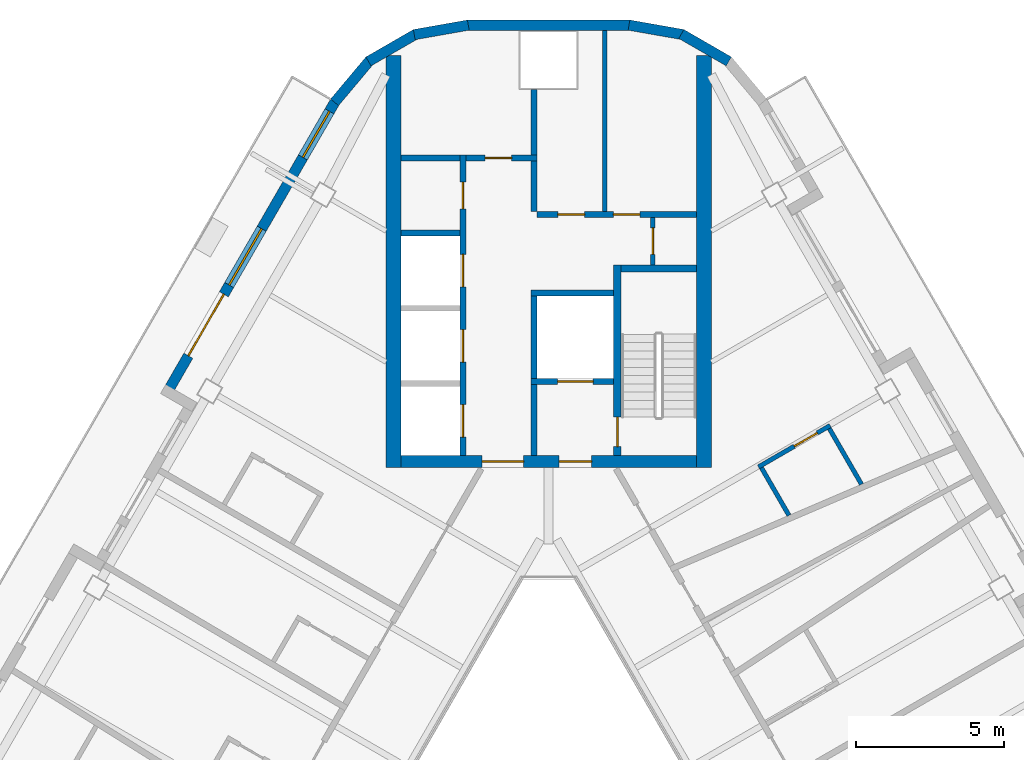
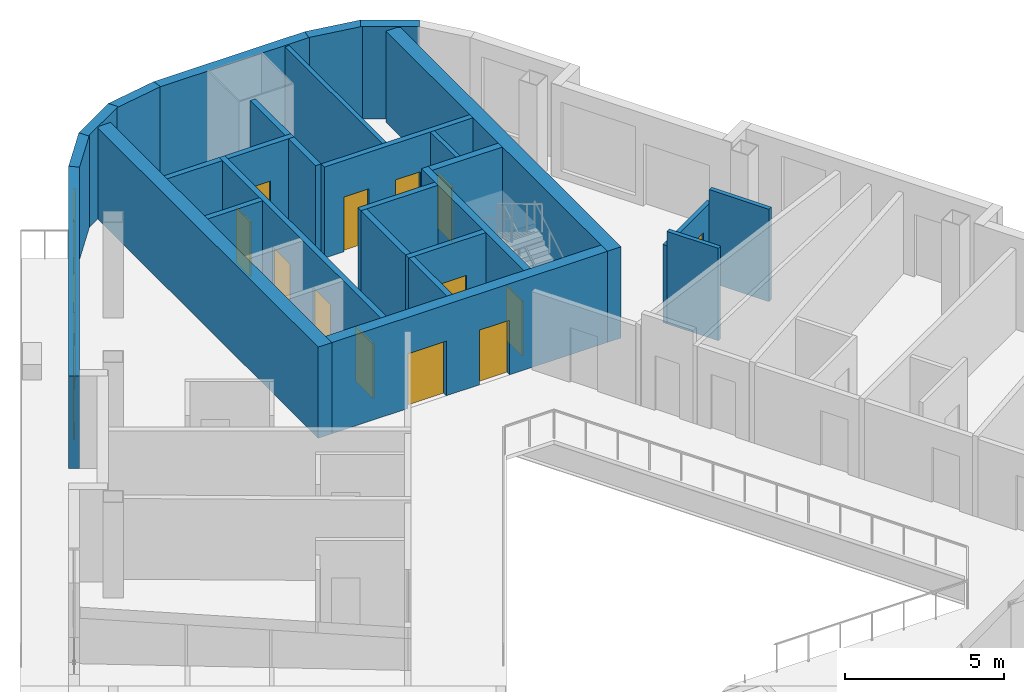
# One storey, part 7 of 14: 28 walls, 14 doors, 2 windows, 16 openings.
"""IFC4 building model written with IfcOpenShell, lengths in metres."""

import ifcopenshell
import ifcopenshell.guid

model = None  # the IFC model being written
_history = None  # IfcOwnerHistory: only IFC2X3 demands one
_inside = {}  # id of a spatial element -> (the spatial element, [elements in it])
_under = {}  # id of a project, library or spatial element -> (it, [spatial elements below it])
_declared = {}  # id of a project -> (the project, [libraries it declares])
_typed = {}  # id of a type object -> (the type object, [elements of that type])
_made_of = {}  # id of a material, layer set ... -> (it, [elements and type objects made of it])


def new_model(schema):
    """Start an empty IFC model of exactly this schema.

    Asked for "IFC4X3", IfcOpenShell would pick the latest addendum, in which some entities
    have other attributes; the version numbers below select the first issue.
    IFC2X3 requires an IfcOwnerHistory on every rooted entity: one is made here for all.
    """
    global model, _history
    if schema == "IFC4X3":
        model = ifcopenshell.file(schema_version=(4, 3, 0, 0))
    else:
        model = ifcopenshell.file(schema=schema)
    _inside.clear()
    _under.clear()
    _declared.clear()
    _typed.clear()
    _made_of.clear()
    _history = None
    if model.schema == "IFC2X3":
        org = make("IfcOrganization", Name="unknown")
        user = make(
            "IfcPersonAndOrganization",
            ThePerson=make("IfcPerson", FamilyName="unknown"),
            TheOrganization=org,
        )
        app = make(
            "IfcApplication",
            ApplicationDeveloper=org,
            Version="unknown",
            ApplicationFullName="unknown",
            ApplicationIdentifier="unknown",
        )
        _history = make(
            "IfcOwnerHistory",
            OwningUser=user,
            OwningApplication=app,
            ChangeAction="ADDED",
            CreationDate=0,
        )
    return model


def make(cls, **values):
    """One entity of the class cls with the attributes given. An attribute that is None is left unset."""
    return model.create_entity(
        cls, **{name: value for name, value in values.items() if value is not None}
    )


def rooted(cls, **values):
    """An entity with a GlobalId (a new one), such as an element, a storey or a relation."""
    return make(cls, GlobalId=ifcopenshell.guid.new(), OwnerHistory=_history, **values)


def si_unit(unit_type, name, prefix=None):
    """IfcSIUnit, for example si_unit("LENGTHUNIT", "METRE", prefix="MILLI")."""
    return make("IfcSIUnit", UnitType=unit_type, Prefix=prefix, Name=name)


def assignment(units):
    """IfcUnitAssignment: the units of a project."""
    return None if units is None else make("IfcUnitAssignment", Units=units)


def point(xyz):
    """IfcCartesianPoint."""
    return None if xyz is None else make("IfcCartesianPoint", Coordinates=xyz)


def direction(xyz):
    """IfcDirection."""
    return None if xyz is None else make("IfcDirection", DirectionRatios=xyz)


def frame(location, z_axis=None, x_axis=None):
    """IfcAxis2Placement3D, a coordinate frame: its origin and axes. An axis left out is left unset."""
    return make(
        "IfcAxis2Placement3D",
        Location=point(location),
        Axis=direction(z_axis),
        RefDirection=direction(x_axis),
    )


def frame_2d(location, x_axis=None):
    """IfcAxis2Placement2D, a coordinate frame in the plane: its origin and x axis."""
    return make(
        "IfcAxis2Placement2D", Location=point(location), RefDirection=direction(x_axis)
    )


def origin():
    """The frame at (0, 0, 0) with its axes left unset."""
    return frame((0.0, 0.0, 0.0))


def place(relative_to, where):
    """IfcLocalPlacement: puts the frame where relative to a parent placement (None: the world)."""
    return make(
        "IfcLocalPlacement", PlacementRelTo=relative_to, RelativePlacement=where
    )


def context(
    kind, dimensions, precision=None, world=None, true_north=None, identifier=None
):
    """IfcGeometricRepresentationContext, for example the 3D "Model" context."""
    return make(
        "IfcGeometricRepresentationContext",
        ContextIdentifier=identifier,
        ContextType=kind,
        CoordinateSpaceDimension=dimensions,
        Precision=precision,
        WorldCoordinateSystem=world,
        TrueNorth=true_north,
    )


def subcontext(parent, identifier, kind, view, scale=None):
    """IfcGeometricRepresentationSubContext, for example "Body" below "Model"."""
    return make(
        "IfcGeometricRepresentationSubContext",
        ContextIdentifier=identifier,
        ContextType=kind,
        ParentContext=parent,
        TargetScale=scale,
        TargetView=view,
    )


def project(units=None, contexts=None):
    """IfcProject with its units and contexts."""
    return rooted(
        "IfcProject",
        Name="project",
        RepresentationContexts=contexts,
        UnitsInContext=assignment(units),
    )


def spatial(cls, under=None, at=None, **own):
    """A site, building, storey or space (cls), placed at a placement, below another one or the project."""
    s = rooted(cls, ObjectPlacement=at, **own)
    if under is not None:
        _under.setdefault(under.id(), (under, []))[1].append(s)
    return s


def profile(cls, at=None, kind="AREA", **sizes):
    """A parametric profile (cls). Its sizes go by their IFC names, for example OverallWidth=200.0."""
    return make(cls, ProfileType=kind, Position=at, **sizes)


def rectangle(**sizes):
    """IfcRectangleProfileDef."""
    return profile("IfcRectangleProfileDef", **sizes)


def extrude(swept, where, along, depth):
    """IfcExtrudedAreaSolid: the profile swept, set in the frame where, extruded along a direction by depth."""
    return make(
        "IfcExtrudedAreaSolid",
        SweptArea=swept,
        Position=where,
        ExtrudedDirection=direction(along),
        Depth=depth,
    )


def shape(context_of_items, identifier, shape_type, items):
    """IfcShapeRepresentation: the items that make up one representation, for example the "Body"."""
    return make(
        "IfcShapeRepresentation",
        ContextOfItems=context_of_items,
        RepresentationIdentifier=identifier,
        RepresentationType=shape_type,
        Items=items,
    )


def material(Name=None, Category=None):
    """IfcMaterial."""
    return make("IfcMaterial", Name=Name, Category=Category)


def layer(
    of_material, thickness, ventilated=None, Name=None, Category=None, Priority=None
):
    """IfcMaterialLayer: one layer of a wall or slab, of a material (None: an air gap)."""
    return make(
        "IfcMaterialLayer",
        Material=of_material,
        LayerThickness=thickness,
        IsVentilated=ventilated,
        Name=Name,
        Category=Category,
        Priority=Priority,
    )


def layer_set(layers, Name=None):
    """IfcMaterialLayerSet."""
    return make("IfcMaterialLayerSet", MaterialLayers=layers, LayerSetName=Name)


def made_of(thing, what):
    """Note that an element or type object is made of a material, layer set ...; save() writes the relation."""
    if what is not None:
        _made_of.setdefault(what.id(), (what, []))[1].append(thing)
    return thing


def type_object(cls, material=None, **own):
    """A type object (cls), such as IfcWallType, which elements share."""
    return made_of(rooted(cls, **own), material)


def element(
    cls,
    number,
    at=None,
    inside=None,
    cuts=None,
    type_object=None,
    material=None,
    context=None,
    identifier="Body",
    shape_type=None,
    held_by="IfcProductDefinitionShape",
    body=None,
    shapes=None,
    **own,
):
    """One element of the class cls, such as IfcWall. Its Tag is "e" and its number.

    at: its placement. inside: the storey or other place that contains it. cuts: it is an
    opening in that element (IfcRelVoidsElement). A single representation is given by context,
    identifier, shape_type and body (its items); several are given by shapes. held_by: the class
    of the entity that holds the representations. save() writes the other relations.
    """
    e = rooted(cls, Tag="e%d" % number, ObjectPlacement=at, **own)
    if body is not None:
        shapes = [shape(context, identifier, shape_type, body)]
    if shapes is not None:
        e.Representation = make(held_by, Representations=shapes)
    if inside is not None:
        _inside.setdefault(inside.id(), (inside, []))[1].append(e)
    if cuts is not None:
        rooted(
            "IfcRelVoidsElement", RelatingBuildingElement=cuts, RelatedOpeningElement=e
        )
    if type_object is not None:
        _typed.setdefault(type_object.id(), (type_object, []))[1].append(e)
    return made_of(e, material)


def fill(opening, filler):
    """IfcRelFillsElement: the door or window that sits in an opening."""
    return rooted(
        "IfcRelFillsElement",
        RelatingOpeningElement=opening,
        RelatedBuildingElement=filler,
    )


def aggregate(whole, parts):
    """IfcRelAggregates: a whole, such as a stair, and the parts it consists of."""
    return rooted("IfcRelAggregates", RelatingObject=whole, RelatedObjects=parts)


def save(model, path):
    """Write the relations noted so far, then the file.

    IfcRelAggregates (storeys below a building ...), IfcRelContainedInSpatialStructure (elements
    in a storey), IfcRelDefinesByType, IfcRelAssociatesMaterial and IfcRelDeclares: one each for
    every whole, place, type object, material and project.
    """
    for whole, parts in _under.values():
        aggregate(whole, parts)
    for where, things in _inside.values():
        rooted(
            "IfcRelContainedInSpatialStructure",
            RelatedElements=things,
            RelatingStructure=where,
        )
    for kind, things in _typed.values():
        rooted("IfcRelDefinesByType", RelatedObjects=things, RelatingType=kind)
    for what, things in _made_of.values():
        rooted("IfcRelAssociatesMaterial", RelatedObjects=things, RelatingMaterial=what)
    for by, libraries in _declared.values():
        rooted("IfcRelDeclares", RelatingContext=by, RelatedDefinitions=libraries)
    model.write(path)


model = new_model("IFC4")

# Units and contexts
model_context = context("Model", 3, precision=1e-05, world=origin(), true_north=direction((0.0, 1.0)))
body_context = subcontext(model_context, "Body", "Model", "MODEL_VIEW")
ifc_project = project(units=[si_unit("LENGTHUNIT", "METRE"), si_unit("AREAUNIT", "SQUARE_METRE"), si_unit("VOLUMEUNIT", "CUBIC_METRE"), si_unit("PLANEANGLEUNIT", "RADIAN"), si_unit("MASSUNIT", "GRAM", prefix="KILO")], contexts=[model_context])

# Site, building, storey
site_placement = place(None, origin())
site = spatial("IfcSite", under=ifc_project, at=site_placement, CompositionType="ELEMENT")
building_placement = place(site_placement, origin())
building = spatial("IfcBuilding", under=site, at=building_placement, Name="Apuvela Tower Hotel", CompositionType="ELEMENT")
storey_placement = place(building_placement, frame((0.0, 0.0, 261.5)))
storey = spatial("IfcBuildingStorey", under=building, at=storey_placement, Name="L64", CompositionType="ELEMENT", Elevation=261.5)

# Wall, openings, doors
ifc_material_1 = material(Name="Concrete C50/60", Category="concrete")
ifc_layer_1 = layer(ifc_material_1, 0.39990234375)
ifc_layer_set_1 = layer_set([ifc_layer_1], Name="COR-WALL-CORE-400")
wall_type_1 = type_object("IfcWallType", Name="COR-WALL-CORE-400", PredefinedType="SHEAR", material=ifc_layer_set_1)
wall_1_placement = place(storey_placement, frame((5.0, 13.10009765625, 0.0), z_axis=(0.0, 0.0, 1.0), x_axis=(-1.0, 0.0, 0.0)))
wall_1 = element("IfcWall", 1, at=wall_1_placement, inside=storey, type_object=wall_type_1, Name="Core wall N", PredefinedType="SHEAR", context=body_context, shape_type="SweptSolid", body=[
    extrude(rectangle(XDim=10.0, YDim=0.39990234375, at=frame_2d((5.0, 0.0))), origin(), (0.0, 0.0, 1.0), 3.5),
])
opening_1_placement = place(wall_1_placement, frame((3.550048828125, 0.0, 0.0)))
opening_1 = element("IfcOpeningElement", 2, at=opening_1_placement, cuts=wall_1, Name="Opening N-FD", PredefinedType="OPENING", context=body_context, shape_type="SweptSolid", body=[
    extrude(rectangle(XDim=1.10009765625, YDim=2.10009765625, at=frame_2d((0.550048828125, 1.050048828125))), frame((0.0, 0.2099609375, 0.0), z_axis=(0.0, -1.0, 0.0), x_axis=(1.0, 0.0, 0.0)), (0.0, 0.0, 1.0), 0.419921875),
])
opening_2_placement = place(wall_1_placement, frame((5.85009765625, 0.0, 0.0)))
opening_2 = element("IfcOpeningElement", 3, at=opening_2_placement, cuts=wall_1, Name="Opening N-GD", PredefinedType="OPENING", context=body_context, shape_type="SweptSolid", body=[
    extrude(rectangle(XDim=1.39990234375, YDim=2.10009765625, at=frame_2d((0.699951171875, 1.050048828125))), frame((0.0, 0.2099609375, 0.0), z_axis=(0.0, -1.0, 0.0), x_axis=(1.0, 0.0, 0.0)), (0.0, 0.0, 1.0), 0.419921875),
])
ifc_material_2 = material(Name="Steel fire door, powder coated", Category="steel")
door_type_1 = type_object("IfcDoorType", Name="COR-FD-1100", OperationType="NOTDEFINED", PredefinedType="DOOR", material=ifc_material_2)
door_1_placement = place(opening_1_placement, frame((1.10009765625, 0.0, 0.0), z_axis=(0.0, 0.0, 1.0), x_axis=(-1.0, 0.0, 0.0)))
door_1 = element("IfcDoor", 4, at=door_1_placement, inside=storey, type_object=door_type_1, Name="Firefighting lobby door N-FD", OperationType="SINGLE_SWING_LEFT", OverallHeight=2.10009765625, OverallWidth=1.10009765625, PredefinedType="DOOR", context=body_context, shape_type="SweptSolid", body=[
    extrude(rectangle(XDim=1.10009765625, YDim=2.10009765625, at=frame_2d((0.550048828125, 1.050048828125))), frame((0.0, 0.02490234375, 0.0), z_axis=(0.0, -1.0, 0.0), x_axis=(1.0, 0.0, 0.0)), (0.0, 0.0, 1.0), 0.050048828125),
])
fill(opening_1, door_1)
ifc_material_3 = material(Name="Glazed steel fire door", Category="steel")
door_type_2 = type_object("IfcDoorType", Name="COR-GD-1400", OperationType="DOUBLE_DOOR_SINGLE_SWING", PredefinedType="DOOR", material=ifc_material_3)
door_2_placement = place(opening_2_placement, frame((1.39990234375, 0.0, 0.0), z_axis=(0.0, 0.0, 1.0), x_axis=(-1.0, 0.0, 0.0)))
door_2 = element("IfcDoor", 5, at=door_2_placement, inside=storey, type_object=door_type_2, Name="Lift lobby door N-GD", OperationType="DOUBLE_DOOR_SINGLE_SWING", OverallHeight=2.10009765625, OverallWidth=1.39990234375, PredefinedType="DOOR", context=body_context, shape_type="SweptSolid", body=[
    extrude(rectangle(XDim=1.39990234375, YDim=2.10009765625, at=frame_2d((0.699951171875, 1.050048828125))), frame((0.0, 0.02490234375, 0.0), z_axis=(0.0, -1.0, 0.0), x_axis=(1.0, 0.0, 0.0)), (0.0, 0.0, 1.0), 0.050048828125),
])
fill(opening_2, door_2)

# Walls
ifc_layer_2 = layer(ifc_material_1, 0.5)
ifc_layer_set_2 = layer_set([ifc_layer_2], Name="COR-WALL-CORE-500")
wall_type_2 = type_object("IfcWallType", Name="COR-WALL-CORE-500", PredefinedType="SHEAR", material=ifc_layer_set_2)
for number, where, z_axis, x_axis, name in (
    (6, (5.25, 12.89990234375, 0.0), (0.0, 0.0, 1.0), (0.0, 1.0, 0.0), "Core wall N"),
    (7, (-5.25, 12.89990234375, 0.0), (0.0, 0.0, 1.0), (0.0, 1.0, 0.0), "Core wall N"),
):
    element("IfcWall", number, at=place(storey_placement, frame(where, z_axis=z_axis, x_axis=x_axis)), inside=storey, type_object=wall_type_2, Name=name, PredefinedType="SHEAR", context=body_context, shape_type="SweptSolid", body=[
        extrude(rectangle(XDim=13.93408203125, YDim=0.5, at=frame_2d((6.967041015625, 0.0))), origin(), (0.0, 0.0, 1.0), 3.5),
    ])

# Wall, opening, door
ifc_material_4 = material(Name="Blockwork 150 mm plastered", Category="masonry")
ifc_layer_3 = layer(ifc_material_4, 0.14990234375)
ifc_layer_set_3 = layer_set([ifc_layer_3], Name="COR-WALL-PART-150")
wall_type_3 = type_object("IfcWallType", Name="COR-WALL-PART-150", PredefinedType="PARTITIONING", material=ifc_layer_set_3)
wall_2_placement = place(storey_placement, frame((3.52490234375, 19.75, 0.0), z_axis=(0.0, 0.0, 1.0), x_axis=(0.0, 1.0, 0.0)))
wall_2 = element("IfcWall", 8, at=wall_2_placement, inside=storey, type_object=wall_type_3, Name="Partition N", PredefinedType="PARTITIONING", context=body_context, shape_type="SweptSolid", body=[
    extrude(rectangle(XDim=1.60009765625, YDim=0.14990234375, at=frame_2d((0.800048828125, 0.0))), origin(), (0.0, 0.0, 1.0), 3.5),
])
opening_3_placement = place(wall_2_placement, frame((0.35009765625, 0.0, 0.0)))
opening_3 = element("IfcOpeningElement", 9, at=opening_3_placement, cuts=wall_2, Name="Opening N-RD", PredefinedType="OPENING", context=body_context, shape_type="SweptSolid", body=[
    extrude(rectangle(XDim=0.89990234375, YDim=2.10009765625, at=frame_2d((0.449951171875, 1.050048828125))), frame((0.0, 0.0849609375, 0.0), z_axis=(0.0, -1.0, 0.0), x_axis=(1.0, 0.0, 0.0)), (0.0, 0.0, 1.0), 0.169921875),
])
ifc_material_5 = material(Name="Steel access door, powder coated", Category="steel")
door_type_3 = type_object("IfcDoorType", Name="COR-RD-900", OperationType="NOTDEFINED", PredefinedType="DOOR", material=ifc_material_5)
door_3_placement = place(opening_3_placement, frame((0.89990234375, 0.0, 0.0), z_axis=(0.0, 0.0, 1.0), x_axis=(-1.0, 0.0, 0.0)))
door_3 = element("IfcDoor", 10, at=door_3_placement, inside=storey, type_object=door_type_3, Name="Riser door N-RD", OperationType="SINGLE_SWING_RIGHT", OverallHeight=2.10009765625, OverallWidth=0.89990234375, PredefinedType="DOOR", context=body_context, shape_type="SweptSolid", body=[
    extrude(rectangle(XDim=0.89990234375, YDim=2.10009765625, at=frame_2d((0.449951171875, 1.050048828125))), frame((0.0, 0.02490234375, 0.0), z_axis=(0.0, -1.0, 0.0), x_axis=(1.0, 0.0, 0.0)), (0.0, 0.0, 1.0), 0.050048828125),
])
fill(opening_3, door_3)

# Wall
wall_3_placement = place(storey_placement, frame((1.89990234375, 21.550048828125, 0.0), z_axis=(0.0, 0.0, 1.0), x_axis=(0.0, 1.0, 0.0)))
element("IfcWall", 11, at=wall_3_placement, inside=storey, type_object=wall_type_3, Name="Partition N", PredefinedType="PARTITIONING", context=body_context, shape_type="SweptSolid", body=[
    extrude(rectangle(XDim=6.126220703125, YDim=0.14990234375, at=frame_2d((3.06298828125, 0.0))), origin(), (0.0, 0.0, 1.0), 3.5),
])

# Wall, openings, doors
ifc_material_6 = material(Name="Blockwork 200 mm plastered", Category="masonry")
ifc_layer_4 = layer(ifc_material_6, 0.199951171875)
ifc_layer_set_4 = layer_set([ifc_layer_4], Name="COR-WALL-PART-200")
wall_type_4 = type_object("IfcWallType", Name="COR-WALL-PART-200", PredefinedType="PARTITIONING", material=ifc_layer_set_4)
wall_4_placement = place(storey_placement, frame((5.0, 21.449951171875, 0.0), z_axis=(0.0, 0.0, 1.0), x_axis=(-1.0, 0.0, 0.0)))
wall_4 = element("IfcWall", 12, at=wall_4_placement, inside=storey, type_object=wall_type_4, Name="Partition N", PredefinedType="PARTITIONING", context=body_context, shape_type="SweptSolid", body=[
    extrude(rectangle(XDim=5.39990234375, YDim=0.199951171875, at=frame_2d((2.699951171875, 0.0))), origin(), (0.0, 0.0, 1.0), 3.5),
])
opening_4_placement = place(wall_4_placement, frame((1.91259765625, 0.0, 0.0)))
opening_4 = element("IfcOpeningElement", 13, at=opening_4_placement, cuts=wall_4, Name="Opening N-RS1", PredefinedType="OPENING", context=body_context, shape_type="SweptSolid", body=[
    extrude(rectangle(XDim=0.89990234375, YDim=2.10009765625, at=frame_2d((0.449951171875, 1.050048828125))), frame((0.0, 0.10986328125, 0.0), z_axis=(0.0, -1.0, 0.0), x_axis=(1.0, 0.0, 0.0)), (0.0, 0.0, 1.0), 0.219970703125),
])
opening_5_placement = place(wall_4_placement, frame((3.78759765625, 0.0, 0.0)))
opening_5 = element("IfcOpeningElement", 14, at=opening_5_placement, cuts=wall_4, Name="Opening N-RS2", PredefinedType="OPENING", context=body_context, shape_type="SweptSolid", body=[
    extrude(rectangle(XDim=0.89990234375, YDim=2.10009765625, at=frame_2d((0.449951171875, 1.050048828125))), frame((0.0, 0.10986328125, 0.0), z_axis=(0.0, -1.0, 0.0), x_axis=(1.0, 0.0, 0.0)), (0.0, 0.0, 1.0), 0.219970703125),
])
door_type_4 = type_object("IfcDoorType", Name="COR-DR-900", OperationType="NOTDEFINED", PredefinedType="DOOR", material=ifc_material_2)
door_4_placement = place(opening_4_placement, frame((0.89990234375, 0.0, 0.0), z_axis=(0.0, 0.0, 1.0), x_axis=(-1.0, 0.0, 0.0)))
door_4 = element("IfcDoor", 15, at=door_4_placement, inside=storey, type_object=door_type_4, Name="Store door N-RS1", OperationType="SINGLE_SWING_LEFT", OverallHeight=2.10009765625, OverallWidth=0.89990234375, PredefinedType="DOOR", context=body_context, shape_type="SweptSolid", body=[
    extrude(rectangle(XDim=0.89990234375, YDim=2.10009765625, at=frame_2d((0.449951171875, 1.050048828125))), frame((0.0, 0.02490234375, 0.0), z_axis=(0.0, -1.0, 0.0), x_axis=(1.0, 0.0, 0.0)), (0.0, 0.0, 1.0), 0.050048828125),
])
fill(opening_4, door_4)
door_5_placement = place(opening_5_placement, frame((0.89990234375, 0.0, 0.0), z_axis=(0.0, 0.0, 1.0), x_axis=(-1.0, 0.0, 0.0)))
door_5 = element("IfcDoor", 16, at=door_5_placement, inside=storey, type_object=door_type_4, Name="Store door N-RS2", OperationType="SINGLE_SWING_RIGHT", OverallHeight=2.10009765625, OverallWidth=0.89990234375, PredefinedType="DOOR", context=body_context, shape_type="SweptSolid", body=[
    extrude(rectangle(XDim=0.89990234375, YDim=2.10009765625, at=frame_2d((0.449951171875, 1.050048828125))), frame((0.0, 0.02490234375, 0.0), z_axis=(0.0, -1.0, 0.0), x_axis=(1.0, 0.0, 0.0)), (0.0, 0.0, 1.0), 0.050048828125),
])
fill(opening_5, door_5)

# Wall
ifc_layer_5 = layer(ifc_material_1, 0.199951171875)
ifc_layer_set_5 = layer_set([ifc_layer_5], Name="COR-WALL-SHAFT-200")
wall_type_5 = type_object("IfcWallType", Name="COR-WALL-SHAFT-200", PredefinedType="SHEAR", material=ifc_layer_set_5)
wall_5_placement = place(storey_placement, frame((2.199951171875, 18.800048828125, 0.0), z_axis=(0.0, 0.0, 1.0), x_axis=(-1.0, 0.0, 0.0)))
element("IfcWall", 17, at=wall_5_placement, inside=storey, type_object=wall_type_5, Name="Shaft wall N", PredefinedType="SHEAR", context=body_context, shape_type="SweptSolid", body=[
    extrude(rectangle(XDim=2.800048828125, YDim=0.199951171875, at=frame_2d((1.39990234375, 0.0))), origin(), (0.0, 0.0, 1.0), 3.5),
])

# Wall, opening, door
wall_6_placement = place(storey_placement, frame((2.199951171875, 15.800048828125, 0.0), z_axis=(0.0, 0.0, 1.0), x_axis=(-1.0, 0.0, 0.0)))
wall_6 = element("IfcWall", 18, at=wall_6_placement, inside=storey, type_object=wall_type_5, Name="Shaft wall N", PredefinedType="SHEAR", context=body_context, shape_type="SweptSolid", body=[
    extrude(rectangle(XDim=2.800048828125, YDim=0.199951171875, at=frame_2d((1.39990234375, 0.0))), origin(), (0.0, 0.0, 1.0), 3.5),
])
opening_6_placement = place(wall_6_placement, frame((0.699951171875, 0.0, 0.0)))
opening_6 = element("IfcOpeningElement", 19, at=opening_6_placement, cuts=wall_6, Name="Opening N-LD-FS1", PredefinedType="OPENING", context=body_context, shape_type="SweptSolid", body=[
    extrude(rectangle(XDim=1.199951171875, YDim=2.10009765625, at=frame_2d((0.60009765625, 1.050048828125))), frame((0.0, 0.10986328125, 0.0), z_axis=(0.0, -1.0, 0.0), x_axis=(1.0, 0.0, 0.0)), (0.0, 0.0, 1.0), 0.219970703125),
])
ifc_material_7 = material(Name="Stainless steel lift landing door", Category="steel")
door_type_5 = type_object("IfcDoorType", Name="COR-LD-1200", OperationType="DOUBLE_DOOR_SLIDING", PredefinedType="DOOR", material=ifc_material_7)
door_6_placement = place(opening_6_placement, origin())
door_6 = element("IfcDoor", 20, at=door_6_placement, inside=storey, type_object=door_type_5, Name="Lift landing door N-LD-FS1", OperationType="DOUBLE_DOOR_SLIDING", OverallHeight=2.10009765625, OverallWidth=1.199951171875, PredefinedType="DOOR", context=body_context, shape_type="SweptSolid", body=[
    extrude(rectangle(XDim=1.199951171875, YDim=2.10009765625, at=frame_2d((0.60009765625, 1.050048828125))), frame((0.0, 0.02490234375, 0.0), z_axis=(0.0, -1.0, 0.0), x_axis=(1.0, 0.0, 0.0)), (0.0, 0.0, 1.0), 0.050048828125),
])
fill(opening_6, door_6)

# Walls
wall_7_placement = place(storey_placement, frame((-0.5, 15.89990234375, 0.0), z_axis=(0.0, 0.0, 1.0), x_axis=(0.0, 1.0, 0.0)))
element("IfcWall", 21, at=wall_7_placement, inside=storey, type_object=wall_type_5, Name="Shaft wall N", PredefinedType="SHEAR", context=body_context, shape_type="SweptSolid", body=[
    extrude(rectangle(XDim=2.800048828125, YDim=0.199951171875, at=frame_2d((1.39990234375, 0.0))), origin(), (0.0, 0.0, 1.0), 3.5),
])
wall_8_placement = place(storey_placement, frame((-0.5, 13.300048828125, 0.0), z_axis=(0.0, 0.0, 1.0), x_axis=(0.0, 1.0, 0.0)))
element("IfcWall", 22, at=wall_8_placement, inside=storey, type_object=wall_type_5, Name="Shaft wall N", PredefinedType="SHEAR", context=body_context, shape_type="SweptSolid", body=[
    extrude(rectangle(XDim=2.39990234375, YDim=0.199951171875, at=frame_2d((1.199951171875, 0.0))), origin(), (0.0, 0.0, 1.0), 3.5),
])

# Wall, openings, doors
wall_9_placement = place(storey_placement, frame((-2.89990234375, 13.300048828125, 0.0), z_axis=(0.0, 0.0, 1.0), x_axis=(0.0, 1.0, 0.0)))
wall_9 = element("IfcWall", 23, at=wall_9_placement, inside=storey, type_object=wall_type_5, Name="Shaft wall N", PredefinedType="SHEAR", context=body_context, shape_type="SweptSolid", body=[
    extrude(rectangle(XDim=10.159912109375, YDim=0.199951171875, at=frame_2d((5.080078125, 0.0))), origin(), (0.0, 0.0, 1.0), 3.5),
])
opening_7_placement = place(wall_9_placement, frame((0.6201171875, 0.0, 0.0)))
opening_7 = element("IfcOpeningElement", 24, at=opening_7_placement, cuts=wall_9, Name="Opening N-LD-HR1", PredefinedType="OPENING", context=body_context, shape_type="SweptSolid", body=[
    extrude(rectangle(XDim=1.10009765625, YDim=2.10009765625, at=frame_2d((0.550048828125, 1.050048828125))), frame((0.0, 0.10986328125, 0.0), z_axis=(0.0, -1.0, 0.0), x_axis=(1.0, 0.0, 0.0)), (0.0, 0.0, 1.0), 0.219970703125),
])
opening_8_placement = place(wall_9_placement, frame((3.159912109375, 0.0, 0.0)))
opening_8 = element("IfcOpeningElement", 25, at=opening_8_placement, cuts=wall_9, Name="Opening N-LD-HR2", PredefinedType="OPENING", context=body_context, shape_type="SweptSolid", body=[
    extrude(rectangle(XDim=1.10009765625, YDim=2.10009765625, at=frame_2d((0.550048828125, 1.050048828125))), frame((0.0, 0.10986328125, 0.0), z_axis=(0.0, -1.0, 0.0), x_axis=(1.0, 0.0, 0.0)), (0.0, 0.0, 1.0), 0.219970703125),
])
opening_9_placement = place(wall_9_placement, frame((5.699951171875, 0.0, 0.0)))
opening_9 = element("IfcOpeningElement", 26, at=opening_9_placement, cuts=wall_9, Name="Opening N-LD-HR4", PredefinedType="OPENING", context=body_context, shape_type="SweptSolid", body=[
    extrude(rectangle(XDim=1.10009765625, YDim=2.10009765625, at=frame_2d((0.550048828125, 1.050048828125))), frame((0.0, 0.10986328125, 0.0), z_axis=(0.0, -1.0, 0.0), x_axis=(1.0, 0.0, 0.0)), (0.0, 0.0, 1.0), 0.219970703125),
])
opening_10_placement = place(wall_9_placement, frame((8.340087890625, 0.0, 0.0)))
opening_10 = element("IfcOpeningElement", 27, at=opening_10_placement, cuts=wall_9, Name="Opening N-RE4", PredefinedType="OPENING", context=body_context, shape_type="SweptSolid", body=[
    extrude(rectangle(XDim=0.89990234375, YDim=2.10009765625, at=frame_2d((0.449951171875, 1.050048828125))), frame((0.0, 0.10986328125, 0.0), z_axis=(0.0, -1.0, 0.0), x_axis=(1.0, 0.0, 0.0)), (0.0, 0.0, 1.0), 0.219970703125),
])
door_7_placement = place(opening_10_placement, origin())
door_7 = element("IfcDoor", 28, at=door_7_placement, inside=storey, type_object=door_type_4, Name="Store door N-RE4", OperationType="SINGLE_SWING_LEFT", OverallHeight=2.10009765625, OverallWidth=0.89990234375, PredefinedType="DOOR", context=body_context, shape_type="SweptSolid", body=[
    extrude(rectangle(XDim=0.89990234375, YDim=2.10009765625, at=frame_2d((0.449951171875, 1.050048828125))), frame((0.0, 0.02490234375, 0.0), z_axis=(0.0, -1.0, 0.0), x_axis=(1.0, 0.0, 0.0)), (0.0, 0.0, 1.0), 0.050048828125),
])
fill(opening_10, door_7)
door_type_6 = type_object("IfcDoorType", Name="COR-LD-1100", OperationType="DOUBLE_DOOR_SLIDING", PredefinedType="DOOR", material=ifc_material_7)
door_8_placement = place(opening_7_placement, origin())
door_8 = element("IfcDoor", 29, at=door_8_placement, inside=storey, type_object=door_type_6, Name="Lift landing door N-LD-HR1", OperationType="DOUBLE_DOOR_SLIDING", OverallHeight=2.10009765625, OverallWidth=1.10009765625, PredefinedType="DOOR", context=body_context, shape_type="SweptSolid", body=[
    extrude(rectangle(XDim=1.10009765625, YDim=2.10009765625, at=frame_2d((0.550048828125, 1.050048828125))), frame((0.0, 0.02490234375, 0.0), z_axis=(0.0, -1.0, 0.0), x_axis=(1.0, 0.0, 0.0)), (0.0, 0.0, 1.0), 0.050048828125),
])
fill(opening_7, door_8)
door_9_placement = place(opening_8_placement, origin())
door_9 = element("IfcDoor", 30, at=door_9_placement, inside=storey, type_object=door_type_6, Name="Lift landing door N-LD-HR2", OperationType="DOUBLE_DOOR_SLIDING", OverallHeight=2.10009765625, OverallWidth=1.10009765625, PredefinedType="DOOR", context=body_context, shape_type="SweptSolid", body=[
    extrude(rectangle(XDim=1.10009765625, YDim=2.10009765625, at=frame_2d((0.550048828125, 1.050048828125))), frame((0.0, 0.02490234375, 0.0), z_axis=(0.0, -1.0, 0.0), x_axis=(1.0, 0.0, 0.0)), (0.0, 0.0, 1.0), 0.050048828125),
])
fill(opening_8, door_9)
door_10_placement = place(opening_9_placement, origin())
door_10 = element("IfcDoor", 31, at=door_10_placement, inside=storey, type_object=door_type_6, Name="Lift landing door N-LD-HR4", OperationType="DOUBLE_DOOR_SLIDING", OverallHeight=2.10009765625, OverallWidth=1.10009765625, PredefinedType="DOOR", context=body_context, shape_type="SweptSolid", body=[
    extrude(rectangle(XDim=1.10009765625, YDim=2.10009765625, at=frame_2d((0.550048828125, 1.050048828125))), frame((0.0, 0.02490234375, 0.0), z_axis=(0.0, -1.0, 0.0), x_axis=(1.0, 0.0, 0.0)), (0.0, 0.0, 1.0), 0.050048828125),
])
fill(opening_9, door_10)

# Wall, opening, door
wall_10_placement = place(storey_placement, frame((-0.39990234375, 23.360107421875, 0.0), z_axis=(0.0, 0.0, 1.0), x_axis=(-1.0, 0.0, 0.0)))
wall_10 = element("IfcWall", 32, at=wall_10_placement, inside=storey, type_object=wall_type_5, Name="Shaft wall N", PredefinedType="SHEAR", context=body_context, shape_type="SweptSolid", body=[
    extrude(rectangle(XDim=2.400146484375, YDim=0.199951171875, at=frame_2d((1.2001953125, 0.0))), origin(), (0.0, 0.0, 1.0), 3.5),
])
opening_11_placement = place(wall_10_placement, frame((0.85009765625, 0.0, 0.0)))
opening_11 = element("IfcOpeningElement", 33, at=opening_11_placement, cuts=wall_10, Name="Opening N-REP", PredefinedType="OPENING", context=body_context, shape_type="SweptSolid", body=[
    extrude(rectangle(XDim=0.89990234375, YDim=2.10009765625, at=frame_2d((0.449951171875, 1.050048828125))), frame((0.0, 0.10986328125, 0.0), z_axis=(0.0, -1.0, 0.0), x_axis=(1.0, 0.0, 0.0)), (0.0, 0.0, 1.0), 0.219970703125),
])
door_11_placement = place(opening_11_placement, frame((0.89990234375, 0.0, 0.0), z_axis=(0.0, 0.0, 1.0), x_axis=(-1.0, 0.0, 0.0)))
door_11 = element("IfcDoor", 34, at=door_11_placement, inside=storey, type_object=door_type_4, Name="Store door N-REP", OperationType="SINGLE_SWING_LEFT", OverallHeight=2.10009765625, OverallWidth=0.89990234375, PredefinedType="DOOR", context=body_context, shape_type="SweptSolid", body=[
    extrude(rectangle(XDim=0.89990234375, YDim=2.10009765625, at=frame_2d((0.449951171875, 1.050048828125))), frame((0.0, 0.02490234375, 0.0), z_axis=(0.0, -1.0, 0.0), x_axis=(1.0, 0.0, 0.0)), (0.0, 0.0, 1.0), 0.050048828125),
])
fill(opening_11, door_11)

# Walls
wall_11_placement = place(storey_placement, frame((-0.5, 21.550048828125, 0.0), z_axis=(0.0, 0.0, 1.0), x_axis=(0.0, 1.0, 0.0)))
element("IfcWall", 35, at=wall_11_placement, inside=storey, type_object=wall_type_5, Name="Shaft wall N", PredefinedType="SHEAR", context=body_context, shape_type="SweptSolid", body=[
    extrude(rectangle(XDim=1.7099609375, YDim=0.199951171875, at=frame_2d((0.85498046875, 0.0))), origin(), (0.0, 0.0, 1.0), 3.5),
])
for number, where, z_axis, x_axis, name in (
    (36, (-3.0, 20.820068359375, 0.0), (0.0, 0.0, 1.0), (-1.0, 0.0, 0.0), "Shaft wall N"),
    (37, (-3.0, 23.360107421875, 0.0), (0.0, 0.0, 1.0), (-1.0, 0.0, 0.0), "Shaft wall N"),
):
    element("IfcWall", number, at=place(storey_placement, frame(where, z_axis=z_axis, x_axis=x_axis)), inside=storey, type_object=wall_type_5, Name=name, PredefinedType="SHEAR", context=body_context, shape_type="SweptSolid", body=[
        extrude(rectangle(XDim=2.0, YDim=0.199951171875, at=frame_2d((1.0, 0.0))), origin(), (0.0, 0.0, 1.0), 3.5),
    ])
wall_12_placement = place(storey_placement, frame((-0.5, 23.4599609375, 0.0), z_axis=(0.0, 0.0, 1.0), x_axis=(0.0, 1.0, 0.0)))
element("IfcWall", 38, at=wall_12_placement, inside=storey, type_object=wall_type_5, Name="Shaft wall N", PredefinedType="SHEAR", context=body_context, shape_type="SweptSolid", body=[
    extrude(rectangle(XDim=2.21630859375, YDim=0.199951171875, at=frame_2d((1.108154296875, 0.0))), origin(), (0.0, 0.0, 1.0), 3.5),
])

# Wall, opening, door
ifc_layer_6 = layer(ifc_material_1, 0.25)
ifc_layer_set_6 = layer_set([ifc_layer_6], Name="COR-WALL-STAIR-250")
wall_type_6 = type_object("IfcWallType", Name="COR-WALL-STAIR-250", PredefinedType="SHEAR", material=ifc_layer_set_6)
wall_13_placement = place(storey_placement, frame((2.324951171875, 13.300048828125, 0.0), z_axis=(0.0, 0.0, 1.0), x_axis=(0.0, 1.0, 0.0)))
wall_13 = element("IfcWall", 39, at=wall_13_placement, inside=storey, type_object=wall_type_6, Name="Stair wall N", PredefinedType="SHEAR", context=body_context, shape_type="SweptSolid", body=[
    extrude(rectangle(XDim=6.449951171875, YDim=0.25, at=frame_2d((3.22509765625, 0.0))), origin(), (0.0, 0.0, 1.0), 3.5),
])
opening_12_placement = place(wall_13_placement, frame((0.300048828125, 0.0, 0.0)))
opening_12 = element("IfcOpeningElement", 40, at=opening_12_placement, cuts=wall_13, Name="Opening N-SD", PredefinedType="OPENING", context=body_context, shape_type="SweptSolid", body=[
    extrude(rectangle(XDim=1.0, YDim=2.10009765625, at=frame_2d((0.5, 1.050048828125))), frame((0.0, 0.135009765625, 0.0), z_axis=(0.0, -1.0, 0.0), x_axis=(1.0, 0.0, 0.0)), (0.0, 0.0, 1.0), 0.27001953125),
])
door_type_7 = type_object("IfcDoorType", Name="COR-SD-1000", OperationType="NOTDEFINED", PredefinedType="DOOR", material=ifc_material_2)
door_12_placement = place(opening_12_placement, frame((1.0, 0.0, 0.0), z_axis=(0.0, 0.0, 1.0), x_axis=(-1.0, 0.0, 0.0)))
door_12 = element("IfcDoor", 41, at=door_12_placement, inside=storey, type_object=door_type_7, Name="Stair door N-SD", OperationType="SINGLE_SWING_LEFT", OverallHeight=2.10009765625, OverallWidth=1.0, PredefinedType="DOOR", context=body_context, shape_type="SweptSolid", body=[
    extrude(rectangle(XDim=1.0, YDim=2.10009765625, at=frame_2d((0.5, 1.050048828125))), frame((0.0, 0.02490234375, 0.0), z_axis=(0.0, -1.0, 0.0), x_axis=(1.0, 0.0, 0.0)), (0.0, 0.0, 1.0), 0.050048828125),
])
fill(opening_12, door_12)

# Wall
wall_14_placement = place(storey_placement, frame((5.0, 19.625, 0.0), z_axis=(0.0, 0.0, 1.0), x_axis=(-1.0, 0.0, 0.0)))
element("IfcWall", 42, at=wall_14_placement, inside=storey, type_object=wall_type_6, Name="Stair wall N", PredefinedType="SHEAR", context=body_context, shape_type="SweptSolid", body=[
    extrude(rectangle(XDim=2.550048828125, YDim=0.25, at=frame_2d((1.27490234375, 0.0))), origin(), (0.0, 0.0, 1.0), 3.5),
])

# Wall, openings, door, windows
ifc_material_8 = material(Name="Concrete C40/50, dark pigmented precast panel", Category="concrete")
ifc_layer_7 = layer(ifc_material_8, 0.35009765625)
ifc_layer_set_7 = layer_set([ifc_layer_7], Name="ENV-WALL-350")
wall_type_7 = type_object("IfcWallType", Name="ENV-WALL-350", PredefinedType="SOLIDWALL", material=ifc_layer_set_7)
wall_15_placement = place(storey_placement, frame((-7.22119140625, 25.268310546875, 0.0), z_axis=(0.0, 0.0, 1.0), x_axis=(-0.499999932627, -0.866025442683, 0.0)))
wall_15 = element("IfcWall", 43, at=wall_15_placement, inside=storey, type_object=wall_type_7, Name="External wall L64-01", PredefinedType="SOLIDWALL", context=body_context, shape_type="SweptSolid", body=[
    extrude(rectangle(XDim=11.50048828125, YDim=0.35009765625, at=frame_2d((5.750244140625, 0.0))), origin(), (0.0, 0.0, 1.0), 3.550048828125),
])
opening_13_placement = place(wall_15_placement, frame((0.380615234375, 0.0, 0.300048828125)))
opening_13 = element("IfcOpeningElement", 44, at=opening_13_placement, cuts=wall_15, Name="Opening WN18", PredefinedType="OPENING", context=body_context, shape_type="SweptSolid", body=[
    extrude(rectangle(XDim=1.800048828125, YDim=2.64990234375, at=frame_2d((0.89990234375, 1.324951171875))), frame((0.0, 0.18505859375, 0.0), z_axis=(0.0, -1.0, 0.0), x_axis=(1.0, 0.0, 0.0)), (0.0, 0.0, 1.0), 0.3701171875),
])
opening_14_placement = place(wall_15_placement, frame((7.52490234375, 0.0, 0.0)))
opening_14 = element("IfcOpeningElement", 45, at=opening_14_placement, cuts=wall_15, Name="Opening BD24", PredefinedType="OPENING", context=body_context, shape_type="SweptSolid", body=[
    extrude(rectangle(XDim=2.39990234375, YDim=2.39990234375, at=frame_2d((1.199951171875, 1.199951171875))), frame((0.0, 0.18505859375, 0.0), z_axis=(0.0, -1.0, 0.0), x_axis=(1.0, 0.0, 0.0)), (0.0, 0.0, 1.0), 0.3701171875),
])
opening_15_placement = place(wall_15_placement, frame((4.96435546875, 0.0, 0.300048828125)))
opening_15 = element("IfcOpeningElement", 46, at=opening_15_placement, cuts=wall_15, Name="Opening WN22", PredefinedType="OPENING", context=body_context, shape_type="SweptSolid", body=[
    extrude(rectangle(XDim=2.199951171875, YDim=2.64990234375, at=frame_2d((1.10009765625, 1.324951171875))), frame((0.0, 0.18505859375, 0.0), z_axis=(0.0, -1.0, 0.0), x_axis=(1.0, 0.0, 0.0)), (0.0, 0.0, 1.0), 0.3701171875),
])
ifc_material_9 = material(Name="Aluminium 6063-T6, dark bronze anodised frame with dark tinted laminated glass", Category="aluminium")
door_type_8 = type_object("IfcDoorType", Name="ENV-DOOR-BALCONY-2400x2400", OperationType="SLIDING_TO_LEFT", PredefinedType="DOOR", material=ifc_material_9)
door_13_placement = place(opening_14_placement, frame((2.39990234375, 0.0, 0.0), z_axis=(0.0, 0.0, 1.0), x_axis=(-1.0, 0.0, 0.0)))
door_13 = element("IfcDoor", 47, at=door_13_placement, inside=storey, type_object=door_type_8, Name="Balcony door BD24", OperationType="SLIDING_TO_LEFT", OverallHeight=2.39990234375, OverallWidth=2.39990234375, PredefinedType="DOOR", context=body_context, shape_type="SweptSolid", body=[
    extrude(rectangle(XDim=2.39990234375, YDim=2.39990234375, at=frame_2d((1.199951171875, 1.199951171875))), frame((0.0, 0.02490234375, 0.0), z_axis=(0.0, -1.0, 0.0), x_axis=(1.0, 0.0, 0.0)), (0.0, 0.0, 1.0), 0.050048828125),
])
fill(opening_14, door_13)
ifc_material_10 = material(Name="Glass, dark tinted laminated insulated glazing unit", Category="glass")
window_type_1 = type_object("IfcWindowType", Name="ENV-WIN-1800x2650", PartitioningType="SINGLE_PANEL", PredefinedType="WINDOW", material=ifc_material_10)
window_1_placement = place(opening_13_placement, origin())
window_1 = element("IfcWindow", 48, at=window_1_placement, inside=storey, type_object=window_type_1, Name="Window WN18", OverallHeight=2.64990234375, OverallWidth=1.800048828125, PartitioningType="SINGLE_PANEL", PredefinedType="WINDOW", context=body_context, shape_type="SweptSolid", body=[
    extrude(rectangle(XDim=1.800048828125, YDim=2.64990234375, at=frame_2d((0.89990234375, 1.324951171875))), frame((0.0, 0.030029296875, 0.0), z_axis=(0.0, -1.0, 0.0), x_axis=(1.0, 0.0, 0.0)), (0.0, 0.0, 1.0), 0.06005859375),
])
fill(opening_13, window_1)
window_type_2 = type_object("IfcWindowType", Name="ENV-WIN-2200x2650", PartitioningType="SINGLE_PANEL", PredefinedType="WINDOW", material=ifc_material_10)
window_2_placement = place(opening_15_placement, origin())
window_2 = element("IfcWindow", 49, at=window_2_placement, inside=storey, type_object=window_type_2, Name="Window WN22", OverallHeight=2.64990234375, OverallWidth=2.199951171875, PartitioningType="SINGLE_PANEL", PredefinedType="WINDOW", context=body_context, shape_type="SweptSolid", body=[
    extrude(rectangle(XDim=2.199951171875, YDim=2.64990234375, at=frame_2d((1.10009765625, 1.324951171875))), frame((0.0, 0.030029296875, 0.0), z_axis=(0.0, -1.0, 0.0), x_axis=(1.0, 0.0, 0.0)), (0.0, 0.0, 1.0), 0.06005859375),
])
fill(opening_15, window_2)

# Walls
wall_16_placement = place(storey_placement, frame((6.093017578125, 26.625244140625, 0.0), z_axis=(0.0, 0.0, 1.0), x_axis=(-0.866080385203, 0.499904757295, 0.0)))
element("IfcWall", 50, at=wall_16_placement, inside=storey, type_object=wall_type_7, Name="External wall L64-43", PredefinedType="SOLIDWALL", context=body_context, shape_type="SweptSolid", body=[
    extrude(rectangle(XDim=1.854736328125, YDim=0.35009765625, at=frame_2d((0.92724609375, 0.0))), origin(), (0.0, 0.0, 1.0), 3.550048828125),
])
wall_17_placement = place(storey_placement, frame((4.543701171875, 27.53173828125, 0.0), z_axis=(0.0, 0.0, 1.0), x_axis=(-0.984795480386, 0.173717764815, 0.0)))
element("IfcWall", 51, at=wall_17_placement, inside=storey, type_object=wall_type_7, Name="External wall L64-44", PredefinedType="SOLIDWALL", context=body_context, shape_type="SweptSolid", body=[
    extrude(rectangle(XDim=1.855224609375, YDim=0.35009765625, at=frame_2d((0.927734375, 0.0))), origin(), (0.0, 0.0, 1.0), 3.550048828125),
])
wall_18_placement = place(storey_placement, frame((2.747314453125, 27.851318359375, 0.0), z_axis=(0.0, 0.0, 1.0), x_axis=(-1.0, 0.0, 0.0)))
element("IfcWall", 52, at=wall_18_placement, inside=storey, type_object=wall_type_7, Name="External wall L64-45", PredefinedType="SOLIDWALL", context=body_context, shape_type="SweptSolid", body=[
    extrude(rectangle(XDim=5.49462890625, YDim=0.35009765625, at=frame_2d((2.747314453125, 0.0))), origin(), (0.0, 0.0, 1.0), 3.550048828125),
])
wall_19_placement = place(storey_placement, frame((-2.716796875, 27.85400390625, 0.0), z_axis=(0.0, 0.0, 1.0), x_axis=(-0.984795480386, -0.173717764815, 0.0)))
element("IfcWall", 53, at=wall_19_placement, inside=storey, type_object=wall_type_7, Name="External wall L64-46", PredefinedType="SOLIDWALL", context=body_context, shape_type="SweptSolid", body=[
    extrude(rectangle(XDim=1.855224609375, YDim=0.35009765625, at=frame_2d((0.927734375, 0.0))), origin(), (0.0, 0.0, 1.0), 3.550048828125),
])
wall_20_placement = place(storey_placement, frame((-4.486572265625, 27.552490234375, 0.0), z_axis=(0.0, 0.0, 1.0), x_axis=(-0.866080385203, -0.499904757295, 0.0)))
element("IfcWall", 54, at=wall_20_placement, inside=storey, type_object=wall_type_7, Name="External wall L64-47", PredefinedType="SOLIDWALL", context=body_context, shape_type="SweptSolid", body=[
    extrude(rectangle(XDim=1.854736328125, YDim=0.35009765625, at=frame_2d((0.92724609375, 0.0))), origin(), (0.0, 0.0, 1.0), 3.550048828125),
])
wall_21_placement = place(storey_placement, frame((-6.04638671875, 26.664306640625, 0.0), z_axis=(0.0, 0.0, 1.0), x_axis=(-0.642756798522, -0.7660702957, 0.0)))
element("IfcWall", 55, at=wall_21_placement, inside=storey, type_object=wall_type_7, Name="External wall L64-48", PredefinedType="SOLIDWALL", context=body_context, shape_type="SweptSolid", body=[
    extrude(rectangle(XDim=1.855224609375, YDim=0.35009765625, at=frame_2d((0.927734375, 0.0))), origin(), (0.0, 0.0, 1.0), 3.550048828125),
])

# Wall, opening, door
ifc_material_11 = material(Name="Moisture-resistant gypsum board wet wall on steel stud", Category="steel")
ifc_layer_8 = layer(ifc_material_11, 0.14990234375)
ifc_layer_set_8 = layer_set([ifc_layer_8], Name="GST-PW3")
wall_type_8 = type_object("IfcWallType", Name="GST-PW3", PredefinedType="PARTITIONING", material=ifc_layer_set_8)
wall_22_placement = place(storey_placement, frame((9.518798828125, 14.31298828125, 0.0), z_axis=(0.0, 0.0, 1.0), x_axis=(-0.865996816683, -0.500049511043, 0.0)))
wall_22 = element("IfcWall", 56, at=wall_22_placement, inside=storey, type_object=wall_type_8, Name="L64 partition 35", PredefinedType="PARTITIONING", context=body_context, shape_type="SweptSolid", body=[
    extrude(rectangle(XDim=2.800048828125, YDim=0.14990234375, at=frame_2d((1.39990234375, 0.0))), origin(), (0.0, 0.0, 1.0), 3.0),
])
opening_16_placement = place(wall_22_placement, frame((0.5, 0.0, 0.0)))
opening_16 = element("IfcOpeningElement", 57, at=opening_16_placement, cuts=wall_22, Name="Opening GD25-15", PredefinedType="OPENING", context=body_context, shape_type="SweptSolid", body=[
    extrude(rectangle(XDim=0.89990234375, YDim=2.10009765625, at=frame_2d((0.449951171875, 1.050048828125))), frame((0.0, 0.0849609375, 0.0), z_axis=(0.0, -1.0, 0.0), x_axis=(1.0, 0.0, 0.0)), (0.0, 0.0, 1.0), 0.169921875),
])
ifc_material_12 = material(Name="Timber door leaf in steel frame", Category="steel")
door_type_9 = type_object("IfcDoorType", Name="GST-D2", OperationType="NOTDEFINED", PredefinedType="DOOR", material=ifc_material_12)
door_14_placement = place(opening_16_placement, origin())
door_14 = element("IfcDoor", 58, at=door_14_placement, inside=storey, type_object=door_type_9, Name="Door L64-15", OperationType="SINGLE_SWING_LEFT", OverallHeight=2.10009765625, OverallWidth=0.89990234375, PredefinedType="DOOR", context=body_context, shape_type="SweptSolid", body=[
    extrude(rectangle(XDim=0.89990234375, YDim=2.10009765625, at=frame_2d((0.449951171875, 1.050048828125))), frame((0.0, 0.02490234375, 0.0), z_axis=(0.0, -1.0, 0.0), x_axis=(1.0, 0.0, 0.0)), (0.0, 0.0, 1.0), 0.050048828125),
])
fill(opening_16, door_14)

# Walls
wall_23_placement = place(storey_placement, frame((10.5791015625, 12.326416015625, 0.0), z_axis=(0.0, 0.0, 1.0), x_axis=(-0.499965319569, 0.866045425615, 0.0)))
element("IfcWall", 59, at=wall_23_placement, inside=storey, type_object=wall_type_8, Name="L64 partition 36", PredefinedType="PARTITIONING", context=body_context, shape_type="SweptSolid", body=[
    extrude(rectangle(XDim=2.175537109375, YDim=0.14990234375, at=frame_2d((1.087890625, 0.0))), origin(), (0.0, 0.0, 1.0), 3.550048828125),
])
wall_24_placement = place(storey_placement, frame((8.1259765625, 11.275634765625, 0.0), z_axis=(0.0, 0.0, 1.0), x_axis=(-0.500093796661, 0.865971243484, 0.0)))
element("IfcWall", 60, at=wall_24_placement, inside=storey, type_object=wall_type_8, Name="L64 partition 37", PredefinedType="PARTITIONING", context=body_context, shape_type="SweptSolid", body=[
    extrude(rectangle(XDim=1.859130859375, YDim=0.14990234375, at=frame_2d((0.9296875, 0.0))), origin(), (0.0, 0.0, 1.0), 3.550048828125),
])

save(model, "model.ifc")
